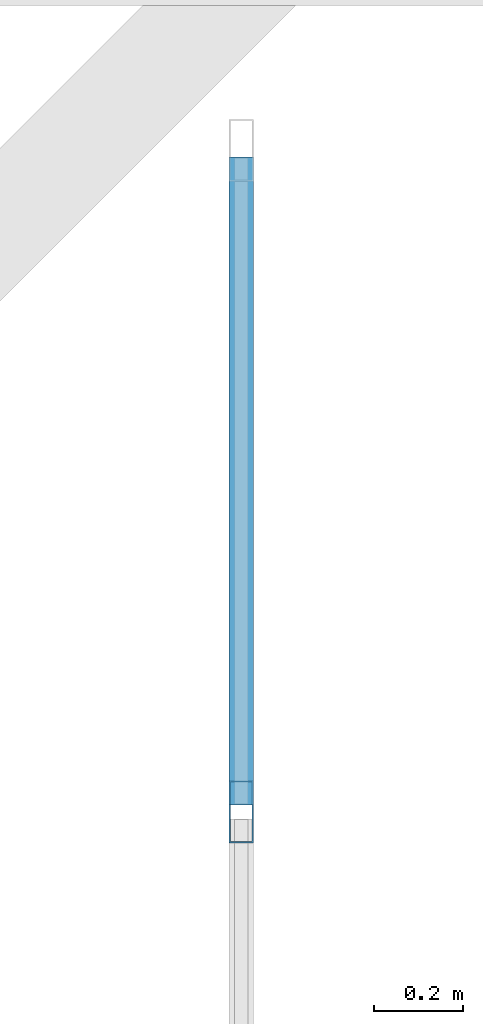
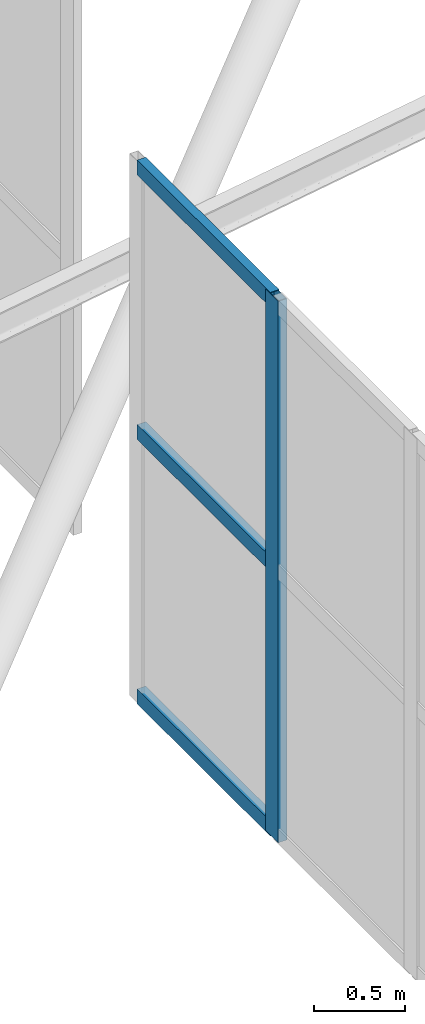
# One storey, part 67 of 397: 4 members, 1 element without a shape of its own.
"""IFC4 building model written with IfcOpenShell, lengths in metres."""

from ifc_helpers import new_model, si_unit, direction, frame, origin, origin_2d, place, context, subcontext, project, spatial, hollow_rectangle, extrude, material, material_profile, profile_set, type_object, element, aggregate, save


model = new_model("IFC4")

# Units and contexts
model_context = context("Model", 3, precision=1e-05, world=origin(), true_north=direction((0.0, 1.0)))
body_context = subcontext(model_context, "Body", "Model", "MODEL_VIEW")
ifc_project = project(units=[si_unit("LENGTHUNIT", "METRE"), si_unit("AREAUNIT", "SQUARE_METRE"), si_unit("VOLUMEUNIT", "CUBIC_METRE"), si_unit("PLANEANGLEUNIT", "RADIAN"), si_unit("MASSUNIT", "GRAM", prefix="KILO")], contexts=[model_context])

# Site, building, storey
site_placement = place(None, origin())
site = spatial("IfcSite", under=ifc_project, at=site_placement, CompositionType="ELEMENT")
building_placement = place(site_placement, origin())
building = spatial("IfcBuilding", under=site, at=building_placement, Name="Qandorah Velis Arena", CompositionType="ELEMENT")
storey_placement = place(building_placement, frame((0.0, 0.0, 27.5)))
storey = spatial("IfcBuildingStorey", under=building, at=storey_placement, Name="RF", CompositionType="ELEMENT", Elevation=27.5)

# Curtain wall, members
ifc_material_1 = material(Name="Solar-control low-E double glazing", Category="glass")
curtain_wall_type = type_object("IfcCurtainWallType", Name="ARC-CW-SYS08", PredefinedType="USERDEFINED", material=ifc_material_1)
curtain_wall_placement = place(storey_placement, origin())
curtain_wall = element("IfcCurtainWall", 1, at=curtain_wall_placement, inside=storey, type_object=curtain_wall_type, Name="Unitised curtain wall MON-1-2", ObjectType="UNITISED CURTAIN WALL", PredefinedType="USERDEFINED")
ifc_material_2 = material(Name="Champagne-bronze anodized aluminium 6063-T6", Category="aluminium")
ifc_material_profile_1 = material_profile(ifc_material_2, hollow_rectangle(XDim=0.054931640625, YDim=0.139892578125, WallThickness=0.0029296875, at=origin_2d()), Name="ALU MULLION 55x140")
ifc_profile_set_1 = profile_set([ifc_material_profile_1], Name="Champagne-bronze anodized aluminium 6063-T6")
member_type_1 = type_object("IfcMemberType", Name="ARC-CWM-140", PredefinedType="MULLION", material=ifc_profile_set_1)
member_1_placement = place(storey_placement, frame((21.60009765625, 48.52783203125, 5.13427734375), z_axis=(0.0, 0.0, 1.0), x_axis=(-1.0, 0.0, 0.0)))
member_1 = element("IfcMember", 2, at=member_1_placement, type_object=member_type_1, Name="CW08 mullion 9", PredefinedType="MULLION", context=body_context, shape_type="SweptSolid", body=[
    extrude(hollow_rectangle(XDim=0.054931640625, YDim=0.139892578125, WallThickness=0.0029296875, at=origin_2d()), origin(), (0.0, 0.0, 1.0), 3.630126953125),
])
ifc_material_profile_2 = material_profile(ifc_material_2, hollow_rectangle(XDim=0.054931640625, YDim=0.10009765625, WallThickness=0.0029296875, at=origin_2d()), Name="ALU TRANSOM 55x100")
ifc_profile_set_2 = profile_set([ifc_material_profile_2], Name="Champagne-bronze anodized aluminium 6063-T6")
member_type_2 = type_object("IfcMemberType", Name="ARC-CWT-100", PredefinedType="USERDEFINED", material=ifc_profile_set_2)
member_2_placement = place(storey_placement, frame((21.60009765625, 48.543212890625, 5.1767578125), z_axis=(0.0, 1.0, 0.0), x_axis=(-1.0, 0.0, 0.0)))
member_2 = element("IfcMember", 3, at=member_2_placement, type_object=member_type_2, Name="CW08 transom 9.1", ObjectType="TRANSOM", PredefinedType="USERDEFINED", context=body_context, shape_type="SweptSolid", body=[
    extrude(hollow_rectangle(XDim=0.054931640625, YDim=0.10009765625, WallThickness=0.0029296875, at=origin_2d()), origin(), (0.0, 0.0, 1.0), 1.4638671875),
])
member_3_placement = place(storey_placement, frame((21.60009765625, 48.543212890625, 6.94921875), z_axis=(0.0, 1.0, 0.0), x_axis=(-1.0, 0.0, 0.0)))
member_3 = element("IfcMember", 4, at=member_3_placement, type_object=member_type_2, Name="CW08 transom 9.2", ObjectType="TRANSOM", PredefinedType="USERDEFINED", context=body_context, shape_type="SweptSolid", body=[
    extrude(hollow_rectangle(XDim=0.054931640625, YDim=0.10009765625, WallThickness=0.0029296875, at=origin_2d()), origin(), (0.0, 0.0, 1.0), 1.4638671875),
])
member_4_placement = place(storey_placement, frame((21.60009765625, 48.543212890625, 8.7216796875), z_axis=(0.0, 1.0, 0.0), x_axis=(-1.0, 0.0, 0.0)))
member_4 = element("IfcMember", 5, at=member_4_placement, type_object=member_type_2, Name="CW08 transom 9.3", ObjectType="TRANSOM", PredefinedType="USERDEFINED", context=body_context, shape_type="SweptSolid", body=[
    extrude(hollow_rectangle(XDim=0.054931640625, YDim=0.10009765625, WallThickness=0.0029296875, at=origin_2d()), origin(), (0.0, 0.0, 1.0), 1.4638671875),
])
aggregate(curtain_wall, [member_1, member_2, member_3, member_4])

save(model, "model.ifc")
